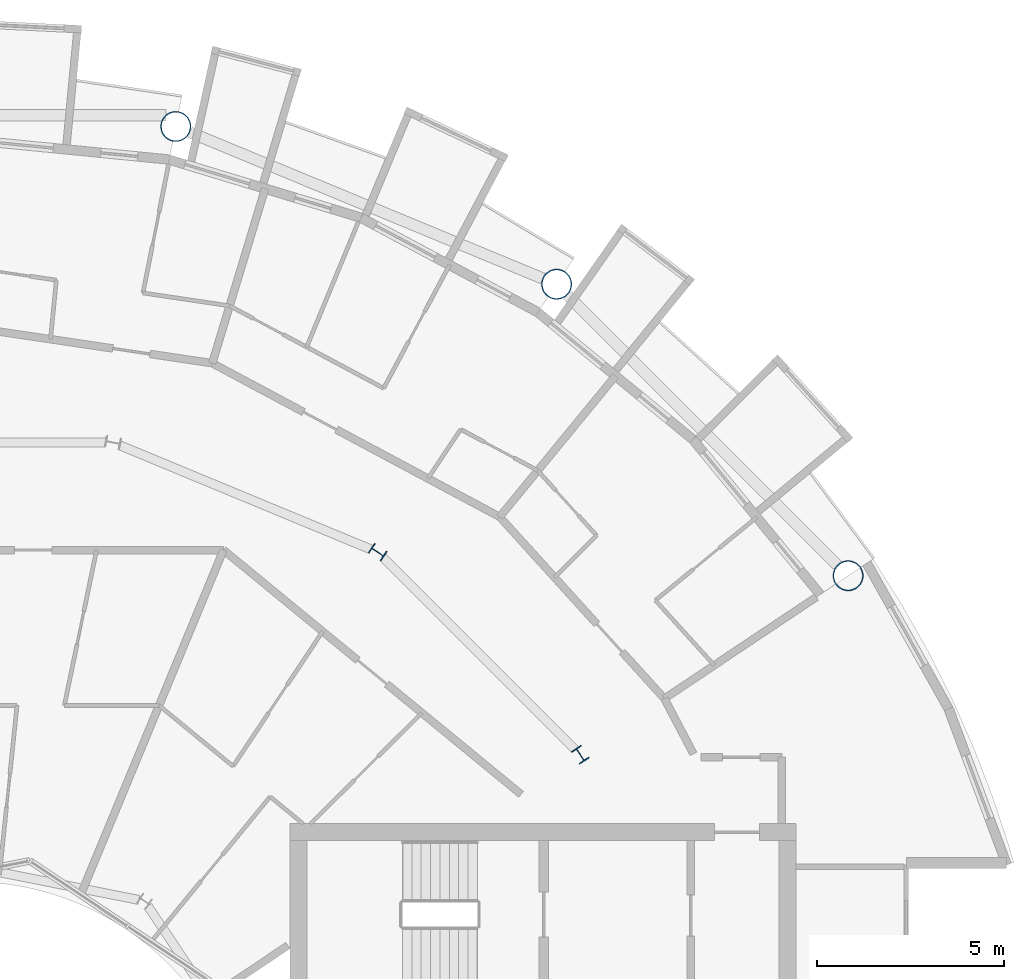
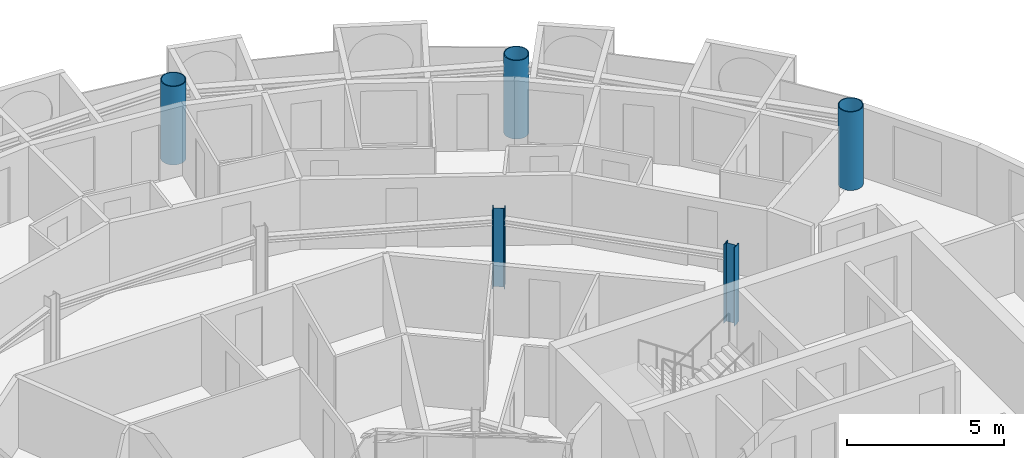
# One storey, part 5 of 29: 5 columns.
"""IFC4 building model written with IfcOpenShell, lengths in metres."""

import ifcopenshell
import ifcopenshell.guid

model = None  # the IFC model being written
_history = None  # IfcOwnerHistory: only IFC2X3 demands one
_inside = {}  # id of a spatial element -> (the spatial element, [elements in it])
_under = {}  # id of a project, library or spatial element -> (it, [spatial elements below it])
_declared = {}  # id of a project -> (the project, [libraries it declares])
_typed = {}  # id of a type object -> (the type object, [elements of that type])
_made_of = {}  # id of a material, layer set ... -> (it, [elements and type objects made of it])


def new_model(schema):
    """Start an empty IFC model of exactly this schema.

    Asked for "IFC4X3", IfcOpenShell would pick the latest addendum, in which some entities
    have other attributes; the version numbers below select the first issue.
    IFC2X3 requires an IfcOwnerHistory on every rooted entity: one is made here for all.
    """
    global model, _history
    if schema == "IFC4X3":
        model = ifcopenshell.file(schema_version=(4, 3, 0, 0))
    else:
        model = ifcopenshell.file(schema=schema)
    _inside.clear()
    _under.clear()
    _declared.clear()
    _typed.clear()
    _made_of.clear()
    _history = None
    if model.schema == "IFC2X3":
        org = make("IfcOrganization", Name="unknown")
        user = make(
            "IfcPersonAndOrganization",
            ThePerson=make("IfcPerson", FamilyName="unknown"),
            TheOrganization=org,
        )
        app = make(
            "IfcApplication",
            ApplicationDeveloper=org,
            Version="unknown",
            ApplicationFullName="unknown",
            ApplicationIdentifier="unknown",
        )
        _history = make(
            "IfcOwnerHistory",
            OwningUser=user,
            OwningApplication=app,
            ChangeAction="ADDED",
            CreationDate=0,
        )
    return model


def make(cls, **values):
    """One entity of the class cls with the attributes given. An attribute that is None is left unset."""
    return model.create_entity(
        cls, **{name: value for name, value in values.items() if value is not None}
    )


def rooted(cls, **values):
    """An entity with a GlobalId (a new one), such as an element, a storey or a relation."""
    return make(cls, GlobalId=ifcopenshell.guid.new(), OwnerHistory=_history, **values)


def si_unit(unit_type, name, prefix=None):
    """IfcSIUnit, for example si_unit("LENGTHUNIT", "METRE", prefix="MILLI")."""
    return make("IfcSIUnit", UnitType=unit_type, Prefix=prefix, Name=name)


def assignment(units):
    """IfcUnitAssignment: the units of a project."""
    return None if units is None else make("IfcUnitAssignment", Units=units)


def point(xyz):
    """IfcCartesianPoint."""
    return None if xyz is None else make("IfcCartesianPoint", Coordinates=xyz)


def direction(xyz):
    """IfcDirection."""
    return None if xyz is None else make("IfcDirection", DirectionRatios=xyz)


def frame(location, z_axis=None, x_axis=None):
    """IfcAxis2Placement3D, a coordinate frame: its origin and axes. An axis left out is left unset."""
    return make(
        "IfcAxis2Placement3D",
        Location=point(location),
        Axis=direction(z_axis),
        RefDirection=direction(x_axis),
    )


def frame_2d(location, x_axis=None):
    """IfcAxis2Placement2D, a coordinate frame in the plane: its origin and x axis."""
    return make(
        "IfcAxis2Placement2D", Location=point(location), RefDirection=direction(x_axis)
    )


def origin():
    """The frame at (0, 0, 0) with its axes left unset."""
    return frame((0.0, 0.0, 0.0))


def origin_2d():
    """The frame at (0, 0) in the plane with its x axis left unset."""
    return frame_2d((0.0, 0.0))


def place(relative_to, where):
    """IfcLocalPlacement: puts the frame where relative to a parent placement (None: the world)."""
    return make(
        "IfcLocalPlacement", PlacementRelTo=relative_to, RelativePlacement=where
    )


def context(
    kind, dimensions, precision=None, world=None, true_north=None, identifier=None
):
    """IfcGeometricRepresentationContext, for example the 3D "Model" context."""
    return make(
        "IfcGeometricRepresentationContext",
        ContextIdentifier=identifier,
        ContextType=kind,
        CoordinateSpaceDimension=dimensions,
        Precision=precision,
        WorldCoordinateSystem=world,
        TrueNorth=true_north,
    )


def subcontext(parent, identifier, kind, view, scale=None):
    """IfcGeometricRepresentationSubContext, for example "Body" below "Model"."""
    return make(
        "IfcGeometricRepresentationSubContext",
        ContextIdentifier=identifier,
        ContextType=kind,
        ParentContext=parent,
        TargetScale=scale,
        TargetView=view,
    )


def project(units=None, contexts=None):
    """IfcProject with its units and contexts."""
    return rooted(
        "IfcProject",
        Name="project",
        RepresentationContexts=contexts,
        UnitsInContext=assignment(units),
    )


def spatial(cls, under=None, at=None, **own):
    """A site, building, storey or space (cls), placed at a placement, below another one or the project."""
    s = rooted(cls, ObjectPlacement=at, **own)
    if under is not None:
        _under.setdefault(under.id(), (under, []))[1].append(s)
    return s


def profile(cls, at=None, kind="AREA", **sizes):
    """A parametric profile (cls). Its sizes go by their IFC names, for example OverallWidth=200.0."""
    return make(cls, ProfileType=kind, Position=at, **sizes)


def hollow_circle(**sizes):
    """IfcCircleHollowProfileDef."""
    return profile("IfcCircleHollowProfileDef", **sizes)


def i_section(**sizes):
    """IfcIShapeProfileDef."""
    return profile("IfcIShapeProfileDef", **sizes)


def extrude(swept, where, along, depth):
    """IfcExtrudedAreaSolid: the profile swept, set in the frame where, extruded along a direction by depth."""
    return make(
        "IfcExtrudedAreaSolid",
        SweptArea=swept,
        Position=where,
        ExtrudedDirection=direction(along),
        Depth=depth,
    )


def shape(context_of_items, identifier, shape_type, items):
    """IfcShapeRepresentation: the items that make up one representation, for example the "Body"."""
    return make(
        "IfcShapeRepresentation",
        ContextOfItems=context_of_items,
        RepresentationIdentifier=identifier,
        RepresentationType=shape_type,
        Items=items,
    )


def material(Name=None, Category=None):
    """IfcMaterial."""
    return make("IfcMaterial", Name=Name, Category=Category)


def material_profile(
    of_material, cross_section, Name=None, Category=None, Priority=None
):
    """IfcMaterialProfile: a cross section and its material."""
    return make(
        "IfcMaterialProfile",
        Name=Name,
        Material=of_material,
        Profile=cross_section,
        Priority=Priority,
        Category=Category,
    )


def profile_set(profiles, Name=None, composite=None):
    """IfcMaterialProfileSet."""
    return make(
        "IfcMaterialProfileSet",
        Name=Name,
        MaterialProfiles=profiles,
        CompositeProfile=composite,
    )


def made_of(thing, what):
    """Note that an element or type object is made of a material, layer set ...; save() writes the relation."""
    if what is not None:
        _made_of.setdefault(what.id(), (what, []))[1].append(thing)
    return thing


def type_object(cls, material=None, **own):
    """A type object (cls), such as IfcWallType, which elements share."""
    return made_of(rooted(cls, **own), material)


def element(
    cls,
    number,
    at=None,
    inside=None,
    cuts=None,
    type_object=None,
    material=None,
    context=None,
    identifier="Body",
    shape_type=None,
    held_by="IfcProductDefinitionShape",
    body=None,
    shapes=None,
    **own,
):
    """One element of the class cls, such as IfcWall. Its Tag is "e" and its number.

    at: its placement. inside: the storey or other place that contains it. cuts: it is an
    opening in that element (IfcRelVoidsElement). A single representation is given by context,
    identifier, shape_type and body (its items); several are given by shapes. held_by: the class
    of the entity that holds the representations. save() writes the other relations.
    """
    e = rooted(cls, Tag="e%d" % number, ObjectPlacement=at, **own)
    if body is not None:
        shapes = [shape(context, identifier, shape_type, body)]
    if shapes is not None:
        e.Representation = make(held_by, Representations=shapes)
    if inside is not None:
        _inside.setdefault(inside.id(), (inside, []))[1].append(e)
    if cuts is not None:
        rooted(
            "IfcRelVoidsElement", RelatingBuildingElement=cuts, RelatedOpeningElement=e
        )
    if type_object is not None:
        _typed.setdefault(type_object.id(), (type_object, []))[1].append(e)
    return made_of(e, material)


def aggregate(whole, parts):
    """IfcRelAggregates: a whole, such as a stair, and the parts it consists of."""
    return rooted("IfcRelAggregates", RelatingObject=whole, RelatedObjects=parts)


def save(model, path):
    """Write the relations noted so far, then the file.

    IfcRelAggregates (storeys below a building ...), IfcRelContainedInSpatialStructure (elements
    in a storey), IfcRelDefinesByType, IfcRelAssociatesMaterial and IfcRelDeclares: one each for
    every whole, place, type object, material and project.
    """
    for whole, parts in _under.values():
        aggregate(whole, parts)
    for where, things in _inside.values():
        rooted(
            "IfcRelContainedInSpatialStructure",
            RelatedElements=things,
            RelatingStructure=where,
        )
    for kind, things in _typed.values():
        rooted("IfcRelDefinesByType", RelatedObjects=things, RelatingType=kind)
    for what, things in _made_of.values():
        rooted("IfcRelAssociatesMaterial", RelatedObjects=things, RelatingMaterial=what)
    for by, libraries in _declared.values():
        rooted("IfcRelDeclares", RelatingContext=by, RelatedDefinitions=libraries)
    model.write(path)


model = new_model("IFC4")

# Units and contexts
model_context = context("Model", 3, precision=1e-05, world=origin(), true_north=direction((0.0, 1.0)))
body_context = subcontext(model_context, "Body", "Model", "MODEL_VIEW")
ifc_project = project(units=[si_unit("LENGTHUNIT", "METRE"), si_unit("AREAUNIT", "SQUARE_METRE"), si_unit("VOLUMEUNIT", "CUBIC_METRE"), si_unit("PLANEANGLEUNIT", "RADIAN"), si_unit("MASSUNIT", "GRAM", prefix="KILO")], contexts=[model_context])

# Site, building, storey
site_placement = place(None, origin())
site = spatial("IfcSite", under=ifc_project, at=site_placement, CompositionType="ELEMENT")
building_placement = place(site_placement, origin())
building = spatial("IfcBuilding", under=site, at=building_placement, Name="Maasbend Ring Residences", CompositionType="ELEMENT")
storey_placement = place(building_placement, frame((0.0, 0.0, 212.699951171875)))
storey = spatial("IfcBuildingStorey", under=building, at=storey_placement, Name="L61", CompositionType="ELEMENT", Elevation=212.699951171875)

# Columns
ifc_material_1 = material(Name="Composite concrete-filled steel tube S460NH / C80/95", Category="concrete")
ifc_material_profile_1 = material_profile(ifc_material_1, hollow_circle(Radius=0.406494140625, WallThickness=0.030029296875, at=origin_2d()), Name="Composite tube column CHS 813x30")
ifc_profile_set_1 = profile_set([ifc_material_profile_1], Name="Composite concrete-filled steel tube S460NH / C80/95")
column_type_1 = type_object("IfcColumnType", Name="Composite tube column CHS 813x30", PredefinedType="COLUMN", material=ifc_profile_set_1)
for number, where, z_axis, x_axis, name in (
    (1, (23.447509765625, 15.6669921875, 0.0), (0.0, 0.0, 1.0), (1.0, 0.0, 0.0), "Outer column R2"),
    (2, (15.6669921875, 23.447509765625, 0.0), (0.0, 0.0, 1.0), (1.0, 0.0, 0.0), "Outer column R3"),
    (3, (5.50146484375, 27.658203125, 0.0), (0.0, 0.0, 1.0), (1.0, 0.0, 0.0), "Outer column R4"),
):
    element("IfcColumn", number, at=place(storey_placement, frame(where, z_axis=z_axis, x_axis=x_axis)), inside=storey, type_object=column_type_1, Name=name, PredefinedType="COLUMN", context=body_context, shape_type="SweptSolid", body=[
        extrude(hollow_circle(Radius=0.406494140625, WallThickness=0.030029296875, at=origin_2d()), origin(), (0.0, 0.0, 1.0), 3.050048828125),
    ])
ifc_material_2 = material(Name="Steel S355J2", Category="steel")
ifc_material_profile_2 = material_profile(ifc_material_2, i_section(OverallWidth=0.300048828125, OverallDepth=0.39990234375, WebThickness=0.013427734375, FlangeThickness=0.02392578125, FilletRadius=0.027099609375, at=origin_2d()), Name="HEB 400")
ifc_profile_set_2 = profile_set([ifc_material_profile_2], Name="Steel S355J2")
column_type_2 = type_object("IfcColumnType", Name="Steel column HEB 400", PredefinedType="COLUMN", material=ifc_profile_set_2)
for number, where, z_axis, x_axis, name in (
    (4, (16.296875, 10.88916015625, 0.0), (0.0, 0.0, 1.0), (0.831469612303, 0.55557023302, 0.0), "Corridor ring column R2"),
    (5, (10.88916015625, 16.296875, 0.0), (0.0, 0.0, 1.0), (0.55557023302, 0.831469612303, 0.0), "Corridor ring column R3"),
):
    element("IfcColumn", number, at=place(storey_placement, frame(where, z_axis=z_axis, x_axis=x_axis)), inside=storey, type_object=column_type_2, Name=name, PredefinedType="COLUMN", context=body_context, shape_type="SweptSolid", body=[
        extrude(i_section(OverallWidth=0.300048828125, OverallDepth=0.39990234375, WebThickness=0.013427734375, FlangeThickness=0.02392578125, FilletRadius=0.027099609375, at=origin_2d()), origin(), (0.0, 0.0, 1.0), 3.050048828125),
    ])

save(model, "model.ifc")
